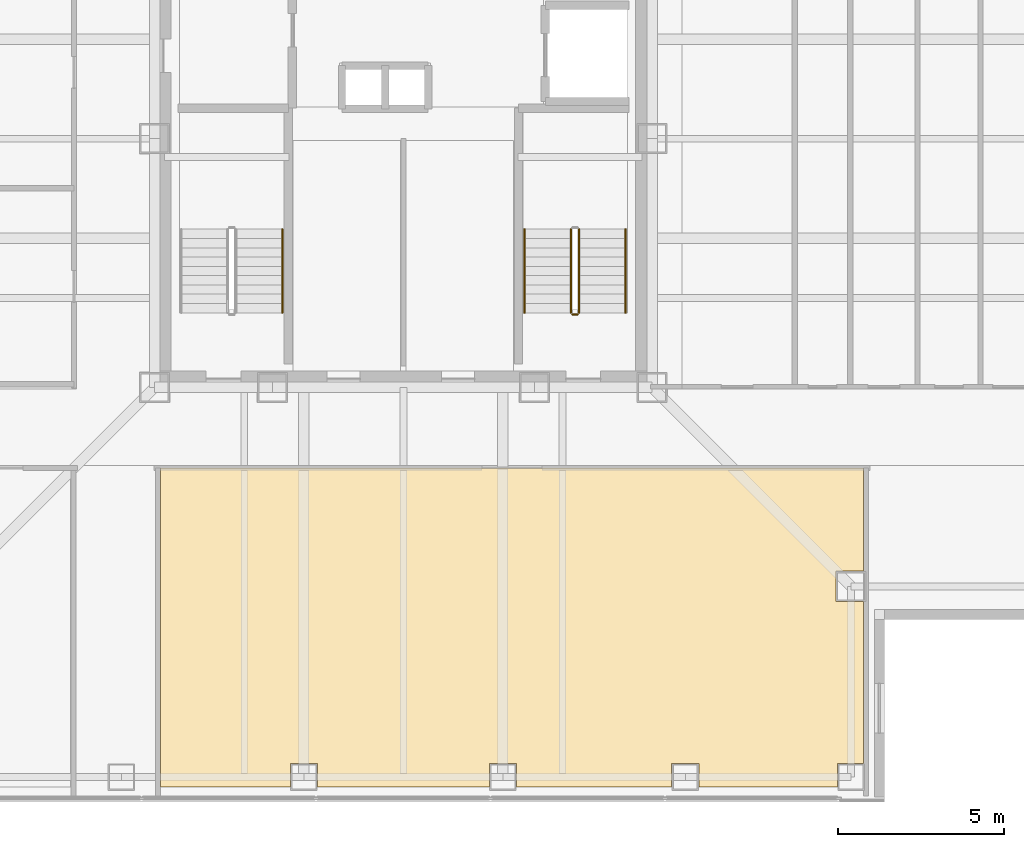
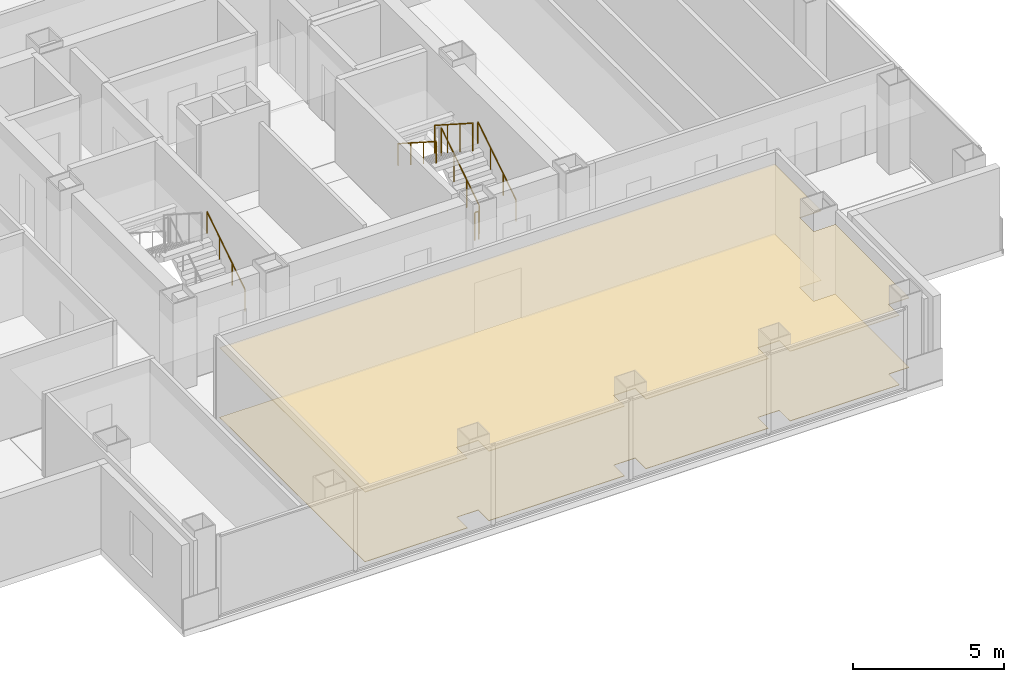
# One storey, part 13 of 17: 6 railings, 2 coverings.
"""IFC4 building model written with IfcOpenShell, lengths in metres."""

import ifcopenshell
import ifcopenshell.guid

model = None  # the IFC model being written
_history = None  # IfcOwnerHistory: only IFC2X3 demands one
_inside = {}  # id of a spatial element -> (the spatial element, [elements in it])
_under = {}  # id of a project, library or spatial element -> (it, [spatial elements below it])
_declared = {}  # id of a project -> (the project, [libraries it declares])
_typed = {}  # id of a type object -> (the type object, [elements of that type])
_made_of = {}  # id of a material, layer set ... -> (it, [elements and type objects made of it])


def new_model(schema):
    """Start an empty IFC model of exactly this schema.

    Asked for "IFC4X3", IfcOpenShell would pick the latest addendum, in which some entities
    have other attributes; the version numbers below select the first issue.
    IFC2X3 requires an IfcOwnerHistory on every rooted entity: one is made here for all.
    """
    global model, _history
    if schema == "IFC4X3":
        model = ifcopenshell.file(schema_version=(4, 3, 0, 0))
    else:
        model = ifcopenshell.file(schema=schema)
    _inside.clear()
    _under.clear()
    _declared.clear()
    _typed.clear()
    _made_of.clear()
    _history = None
    if model.schema == "IFC2X3":
        org = make("IfcOrganization", Name="unknown")
        user = make(
            "IfcPersonAndOrganization",
            ThePerson=make("IfcPerson", FamilyName="unknown"),
            TheOrganization=org,
        )
        app = make(
            "IfcApplication",
            ApplicationDeveloper=org,
            Version="unknown",
            ApplicationFullName="unknown",
            ApplicationIdentifier="unknown",
        )
        _history = make(
            "IfcOwnerHistory",
            OwningUser=user,
            OwningApplication=app,
            ChangeAction="ADDED",
            CreationDate=0,
        )
    return model


def make(cls, **values):
    """One entity of the class cls with the attributes given. An attribute that is None is left unset."""
    return model.create_entity(
        cls, **{name: value for name, value in values.items() if value is not None}
    )


def rooted(cls, **values):
    """An entity with a GlobalId (a new one), such as an element, a storey or a relation."""
    return make(cls, GlobalId=ifcopenshell.guid.new(), OwnerHistory=_history, **values)


def si_unit(unit_type, name, prefix=None):
    """IfcSIUnit, for example si_unit("LENGTHUNIT", "METRE", prefix="MILLI")."""
    return make("IfcSIUnit", UnitType=unit_type, Prefix=prefix, Name=name)


def assignment(units):
    """IfcUnitAssignment: the units of a project."""
    return None if units is None else make("IfcUnitAssignment", Units=units)


def point(xyz):
    """IfcCartesianPoint."""
    return None if xyz is None else make("IfcCartesianPoint", Coordinates=xyz)


def direction(xyz):
    """IfcDirection."""
    return None if xyz is None else make("IfcDirection", DirectionRatios=xyz)


def frame(location, z_axis=None, x_axis=None):
    """IfcAxis2Placement3D, a coordinate frame: its origin and axes. An axis left out is left unset."""
    return make(
        "IfcAxis2Placement3D",
        Location=point(location),
        Axis=direction(z_axis),
        RefDirection=direction(x_axis),
    )


def frame_2d(location, x_axis=None):
    """IfcAxis2Placement2D, a coordinate frame in the plane: its origin and x axis."""
    return make(
        "IfcAxis2Placement2D", Location=point(location), RefDirection=direction(x_axis)
    )


def origin():
    """The frame at (0, 0, 0) with its axes left unset."""
    return frame((0.0, 0.0, 0.0))


def origin_2d():
    """The frame at (0, 0) in the plane with its x axis left unset."""
    return frame_2d((0.0, 0.0))


def place(relative_to, where):
    """IfcLocalPlacement: puts the frame where relative to a parent placement (None: the world)."""
    return make(
        "IfcLocalPlacement", PlacementRelTo=relative_to, RelativePlacement=where
    )


def context(
    kind, dimensions, precision=None, world=None, true_north=None, identifier=None
):
    """IfcGeometricRepresentationContext, for example the 3D "Model" context."""
    return make(
        "IfcGeometricRepresentationContext",
        ContextIdentifier=identifier,
        ContextType=kind,
        CoordinateSpaceDimension=dimensions,
        Precision=precision,
        WorldCoordinateSystem=world,
        TrueNorth=true_north,
    )


def subcontext(parent, identifier, kind, view, scale=None):
    """IfcGeometricRepresentationSubContext, for example "Body" below "Model"."""
    return make(
        "IfcGeometricRepresentationSubContext",
        ContextIdentifier=identifier,
        ContextType=kind,
        ParentContext=parent,
        TargetScale=scale,
        TargetView=view,
    )


def project(units=None, contexts=None):
    """IfcProject with its units and contexts."""
    return rooted(
        "IfcProject",
        Name="project",
        RepresentationContexts=contexts,
        UnitsInContext=assignment(units),
    )


def spatial(cls, under=None, at=None, **own):
    """A site, building, storey or space (cls), placed at a placement, below another one or the project."""
    s = rooted(cls, ObjectPlacement=at, **own)
    if under is not None:
        _under.setdefault(under.id(), (under, []))[1].append(s)
    return s


def polyline(points):
    """IfcPolyline through the points."""
    return make("IfcPolyline", Points=[point(p) for p in points])


def profile(cls, at=None, kind="AREA", **sizes):
    """A parametric profile (cls). Its sizes go by their IFC names, for example OverallWidth=200.0."""
    return make(cls, ProfileType=kind, Position=at, **sizes)


def circle(**sizes):
    """IfcCircleProfileDef."""
    return profile("IfcCircleProfileDef", **sizes)


def outline(outer, holes=None, kind="AREA"):
    """IfcArbitraryClosedProfileDef: a profile drawn as a closed curve; with holes, ...WithVoids."""
    if holes is None:
        return make("IfcArbitraryClosedProfileDef", ProfileType=kind, OuterCurve=outer)
    return make(
        "IfcArbitraryProfileDefWithVoids",
        ProfileType=kind,
        OuterCurve=outer,
        InnerCurves=holes,
    )


def extrude(swept, where, along, depth):
    """IfcExtrudedAreaSolid: the profile swept, set in the frame where, extruded along a direction by depth."""
    return make(
        "IfcExtrudedAreaSolid",
        SweptArea=swept,
        Position=where,
        ExtrudedDirection=direction(along),
        Depth=depth,
    )


def shape(context_of_items, identifier, shape_type, items):
    """IfcShapeRepresentation: the items that make up one representation, for example the "Body"."""
    return make(
        "IfcShapeRepresentation",
        ContextOfItems=context_of_items,
        RepresentationIdentifier=identifier,
        RepresentationType=shape_type,
        Items=items,
    )


def material(Name=None, Category=None):
    """IfcMaterial."""
    return make("IfcMaterial", Name=Name, Category=Category)


def layer(
    of_material, thickness, ventilated=None, Name=None, Category=None, Priority=None
):
    """IfcMaterialLayer: one layer of a wall or slab, of a material (None: an air gap)."""
    return make(
        "IfcMaterialLayer",
        Material=of_material,
        LayerThickness=thickness,
        IsVentilated=ventilated,
        Name=Name,
        Category=Category,
        Priority=Priority,
    )


def layer_set(layers, Name=None):
    """IfcMaterialLayerSet."""
    return make("IfcMaterialLayerSet", MaterialLayers=layers, LayerSetName=Name)


def made_of(thing, what):
    """Note that an element or type object is made of a material, layer set ...; save() writes the relation."""
    if what is not None:
        _made_of.setdefault(what.id(), (what, []))[1].append(thing)
    return thing


def type_object(cls, material=None, **own):
    """A type object (cls), such as IfcWallType, which elements share."""
    return made_of(rooted(cls, **own), material)


def element(
    cls,
    number,
    at=None,
    inside=None,
    cuts=None,
    type_object=None,
    material=None,
    context=None,
    identifier="Body",
    shape_type=None,
    held_by="IfcProductDefinitionShape",
    body=None,
    shapes=None,
    **own,
):
    """One element of the class cls, such as IfcWall. Its Tag is "e" and its number.

    at: its placement. inside: the storey or other place that contains it. cuts: it is an
    opening in that element (IfcRelVoidsElement). A single representation is given by context,
    identifier, shape_type and body (its items); several are given by shapes. held_by: the class
    of the entity that holds the representations. save() writes the other relations.
    """
    e = rooted(cls, Tag="e%d" % number, ObjectPlacement=at, **own)
    if body is not None:
        shapes = [shape(context, identifier, shape_type, body)]
    if shapes is not None:
        e.Representation = make(held_by, Representations=shapes)
    if inside is not None:
        _inside.setdefault(inside.id(), (inside, []))[1].append(e)
    if cuts is not None:
        rooted(
            "IfcRelVoidsElement", RelatingBuildingElement=cuts, RelatedOpeningElement=e
        )
    if type_object is not None:
        _typed.setdefault(type_object.id(), (type_object, []))[1].append(e)
    return made_of(e, material)


def aggregate(whole, parts):
    """IfcRelAggregates: a whole, such as a stair, and the parts it consists of."""
    return rooted("IfcRelAggregates", RelatingObject=whole, RelatedObjects=parts)


def save(model, path):
    """Write the relations noted so far, then the file.

    IfcRelAggregates (storeys below a building ...), IfcRelContainedInSpatialStructure (elements
    in a storey), IfcRelDefinesByType, IfcRelAssociatesMaterial and IfcRelDeclares: one each for
    every whole, place, type object, material and project.
    """
    for whole, parts in _under.values():
        aggregate(whole, parts)
    for where, things in _inside.values():
        rooted(
            "IfcRelContainedInSpatialStructure",
            RelatedElements=things,
            RelatingStructure=where,
        )
    for kind, things in _typed.values():
        rooted("IfcRelDefinesByType", RelatedObjects=things, RelatingType=kind)
    for what, things in _made_of.values():
        rooted("IfcRelAssociatesMaterial", RelatedObjects=things, RelatingMaterial=what)
    for by, libraries in _declared.values():
        rooted("IfcRelDeclares", RelatingContext=by, RelatedDefinitions=libraries)
    model.write(path)


model = new_model("IFC4")

# Units and contexts
model_context = context("Model", 3, precision=1e-05, world=origin(), true_north=direction((0.0, 1.0)))
body_context = subcontext(model_context, "Body", "Model", "MODEL_VIEW")
ifc_project = project(units=[si_unit("LENGTHUNIT", "METRE"), si_unit("AREAUNIT", "SQUARE_METRE"), si_unit("VOLUMEUNIT", "CUBIC_METRE"), si_unit("PLANEANGLEUNIT", "RADIAN"), si_unit("MASSUNIT", "GRAM", prefix="KILO")], contexts=[model_context])

# Site, building, storey
site_placement = place(None, origin())
site = spatial("IfcSite", under=ifc_project, at=site_placement, CompositionType="ELEMENT")
building_placement = place(site_placement, origin())
building = spatial("IfcBuilding", under=site, at=building_placement, Name="Trevonay Congress Spire", CompositionType="ELEMENT")
storey_placement = place(building_placement, frame((0.0, 0.0, 209.39990234375)))
storey = spatial("IfcBuildingStorey", under=building, at=storey_placement, Name="L54", CompositionType="ELEMENT", Elevation=209.39990234375)

# Coverings
ifc_material_1 = material(Name="Acoustic Mineral Fibre Board", Category="gypsum")
ifc_layer_1 = layer(ifc_material_1, 0.02490234375, Name="Acoustic Mineral Fibre Board")
ifc_layer_set_1 = layer_set([ifc_layer_1], Name="Acoustic Mineral Fibre Board")
covering_type_1 = type_object("IfcCoveringType", Name="COV-CEIL-ACOUSTIC", PredefinedType="CEILING", material=ifc_layer_set_1)
covering_1_placement = place(storey_placement, frame((0.0, 0.0, 2.81005859375)))
element("IfcCovering", 1, at=covering_1_placement, inside=storey, type_object=covering_type_1, Name="L54 Members Maritime Reference Library Lounge acoustic suspended ceiling", PredefinedType="CEILING", context=body_context, shape_type="SweptSolid", body=[
    extrude(outline(polyline([(-7.320068359375, -19.550048828125), (-7.320068359375, -9.929931640625), (13.8701171875, -9.929931640625), (13.8701171875, -13.0400390625), (13.0400390625, -13.0400390625), (13.0400390625, -13.9599609375), (13.8701171875, -13.9599609375), (13.8701171875, -18.840087890625), (13.090087890625, -18.840087890625), (13.090087890625, -19.550048828125), (8.909912109375, -19.550048828125), (8.909912109375, -18.840087890625), (8.090087890625, -18.840087890625), (8.090087890625, -19.550048828125), (3.409912109375, -19.550048828125), (3.409912109375, -18.840087890625), (2.590087890625, -18.840087890625), (2.590087890625, -19.550048828125), (-2.590087890625, -19.550048828125), (-2.590087890625, -18.840087890625), (-3.409912109375, -18.840087890625), (-3.409912109375, -19.550048828125), (-7.320068359375, -19.550048828125)])), origin(), (0.0, 0.0, 1.0), 0.025146484375),
])
ifc_material_2 = material(Name="Engineered Oak Flooring", Category="wood")
ifc_layer_2 = layer(ifc_material_2, 0.01806640625, Name="Engineered Oak Flooring")
ifc_layer_set_2 = layer_set([ifc_layer_2], Name="Engineered Oak Flooring")
covering_type_2 = type_object("IfcCoveringType", Name="COV-FLOOR-TIMBER", PredefinedType="FLOORING", material=ifc_layer_set_2)
covering_2_placement = place(storey_placement, origin())
element("IfcCovering", 2, at=covering_2_placement, inside=storey, type_object=covering_type_2, Name="L54 Members Maritime Reference Library Lounge floor finish", PredefinedType="FLOORING", context=body_context, shape_type="SweptSolid", body=[
    extrude(outline(polyline([(-7.320068359375, -19.550048828125), (-7.320068359375, -9.929931640625), (13.8701171875, -9.929931640625), (13.8701171875, -13.0400390625), (13.0400390625, -13.0400390625), (13.0400390625, -13.9599609375), (13.8701171875, -13.9599609375), (13.8701171875, -18.840087890625), (13.090087890625, -18.840087890625), (13.090087890625, -19.550048828125), (8.909912109375, -19.550048828125), (8.909912109375, -18.840087890625), (8.090087890625, -18.840087890625), (8.090087890625, -19.550048828125), (3.409912109375, -19.550048828125), (3.409912109375, -18.840087890625), (2.590087890625, -18.840087890625), (2.590087890625, -19.550048828125), (-2.590087890625, -19.550048828125), (-2.590087890625, -18.840087890625), (-3.409912109375, -18.840087890625), (-3.409912109375, -19.550048828125), (-7.320068359375, -19.550048828125)])), origin(), (0.0, 0.0, 1.0), 0.01806640625),
])

# Railings
ifc_material_3 = material(Name="Pale Anodised Aluminium EN AW-6063-T6", Category="aluminium")
railing_type_1 = type_object("IfcRailingType", Name="RAL-STAIR-GUARD-110", PredefinedType="GUARDRAIL", material=ifc_material_3)
railing_1_placement = place(storey_placement, frame((5.300048828125, -5.25, 0.18017578125)))
element("IfcRailing", 3, at=railing_1_placement, inside=storey, type_object=railing_type_1, Name="L54 ST-2 stair guard 1", PredefinedType="GUARDRAIL", context=body_context, shape_type="SweptSolid", body=[
    extrude(circle(Radius=0.02392578125, at=origin_2d()), frame((0.0, 0.0, 1.1259765625), z_axis=(0.0, 0.841199657755, 0.540724639528), x_axis=(-1.0, 0.0, 0.0)), (0.0, 0.0, 1.0), 2.995849609375),
    extrude(circle(Radius=0.02099609375, at=origin_2d()), origin(), (0.0, 0.0, 1.0), 1.101806640625),
    extrude(circle(Radius=0.02099609375, at=origin_2d()), frame((0.0, 0.840087890625, 0.5400390625)), (0.0, 0.0, 1.0), 1.101806640625),
    extrude(circle(Radius=0.02099609375, at=origin_2d()), frame((0.0, 1.679931640625, 1.079833984375)), (0.0, 0.0, 1.0), 1.101806640625),
    extrude(circle(Radius=0.02099609375, at=origin_2d()), frame((0.0, 2.52001953125, 1.619873046875)), (0.0, 0.0, 1.0), 1.101806640625),
])
railing_2_placement = place(storey_placement, frame((5.050048828125, -2.72998046875, 1.97998046875)))
element("IfcRailing", 4, at=railing_2_placement, inside=storey, type_object=railing_type_1, Name="L54 ST-2 stair guard 3", PredefinedType="GUARDRAIL", context=body_context, shape_type="SweptSolid", body=[
    extrude(circle(Radius=0.02392578125, at=origin_2d()), frame((0.0, 0.0, 1.1259765625), z_axis=(0.0, -0.841162588446, 0.540782303519), x_axis=(1.0, 0.0, 0.0)), (0.0, 0.0, 1.0), 2.995849609375),
    extrude(circle(Radius=0.02099609375, at=origin_2d()), origin(), (0.0, 0.0, 1.0), 1.101806640625),
    extrude(circle(Radius=0.02099609375, at=origin_2d()), frame((0.0, -0.840087890625, 0.5400390625)), (0.0, 0.0, 1.0), 1.101806640625),
    extrude(circle(Radius=0.02099609375, at=origin_2d()), frame((0.0, -1.679931640625, 1.080078125)), (0.0, 0.0, 1.0), 1.101806640625),
    extrude(circle(Radius=0.02099609375, at=origin_2d()), frame((0.0, -2.52001953125, 1.6201171875)), (0.0, 0.0, 1.0), 1.101806640625),
])
railing_3_placement = place(storey_placement, frame((5.25, -5.300048828125, 0.0)))
element("IfcRailing", 5, at=railing_3_placement, inside=storey, type_object=railing_type_1, Name="L54 ST-2 stair guard 4", PredefinedType="GUARDRAIL", context=body_context, shape_type="SweptSolid", body=[
    extrude(circle(Radius=0.02392578125, at=origin_2d()), frame((0.0, 0.0, 1.1259765625), z_axis=(-1.0, 0.0, 0.0), x_axis=(0.0, -1.0, 0.0)), (0.0, 0.0, 1.0), 0.14990234375),
    extrude(circle(Radius=0.02099609375, at=origin_2d()), origin(), (0.0, 0.0, 1.0), 1.101806640625),
    extrude(circle(Radius=0.02099609375, at=origin_2d()), frame((-0.14990234375, 0.0, 0.0)), (0.0, 0.0, 1.0), 1.101806640625),
])
railing_type_2 = type_object("IfcRailingType", Name="RAL-STAIR-HANDRAIL", PredefinedType="HANDRAIL", material=ifc_material_3)
for number, where, name in (
    (6, (-3.64990234375, -5.25, 0.18017578125), "L54 ST-1 stair handrail 1"),
    (7, (6.699951171875, -5.25, 0.18017578125), "L54 ST-2 stair handrail 1"),
):
    element("IfcRailing", number, at=place(storey_placement, frame(where)), inside=storey, type_object=railing_type_2, Name=name, PredefinedType="HANDRAIL", context=body_context, shape_type="SweptSolid", body=[
        extrude(circle(Radius=0.02392578125, at=origin_2d()), frame((0.0, 0.0, 0.8759765625), z_axis=(0.0, 0.841199657755, 0.540724639528), x_axis=(-1.0, 0.0, 0.0)), (0.0, 0.0, 1.0), 2.995849609375),
        extrude(circle(Radius=0.02099609375, at=origin_2d()), origin(), (0.0, 0.0, 1.0), 0.851806640625),
        extrude(circle(Radius=0.02099609375, at=origin_2d()), frame((0.0, 0.840087890625, 0.5400390625)), (0.0, 0.0, 1.0), 0.851806640625),
        extrude(circle(Radius=0.02099609375, at=origin_2d()), frame((0.0, 1.679931640625, 1.079833984375)), (0.0, 0.0, 1.0), 0.851806640625),
        extrude(circle(Radius=0.02099609375, at=origin_2d()), frame((0.0, 2.52001953125, 1.619873046875)), (0.0, 0.0, 1.0), 0.851806640625),
    ])
railing_4_placement = place(storey_placement, frame((3.64990234375, -2.72998046875, 1.97998046875)))
element("IfcRailing", 8, at=railing_4_placement, inside=storey, type_object=railing_type_2, Name="L54 ST-2 stair handrail 2", PredefinedType="HANDRAIL", context=body_context, shape_type="SweptSolid", body=[
    extrude(circle(Radius=0.02392578125, at=origin_2d()), frame((0.0, 0.0, 0.8759765625), z_axis=(0.0, -0.841162588446, 0.540782303519), x_axis=(1.0, 0.0, 0.0)), (0.0, 0.0, 1.0), 2.995849609375),
    extrude(circle(Radius=0.02099609375, at=origin_2d()), origin(), (0.0, 0.0, 1.0), 0.851806640625),
    extrude(circle(Radius=0.02099609375, at=origin_2d()), frame((0.0, -0.840087890625, 0.5400390625)), (0.0, 0.0, 1.0), 0.851806640625),
    extrude(circle(Radius=0.02099609375, at=origin_2d()), frame((0.0, -1.679931640625, 1.080078125)), (0.0, 0.0, 1.0), 0.851806640625),
    extrude(circle(Radius=0.02099609375, at=origin_2d()), frame((0.0, -2.52001953125, 1.6201171875)), (0.0, 0.0, 1.0), 0.851806640625),
])

save(model, "model.ifc")
